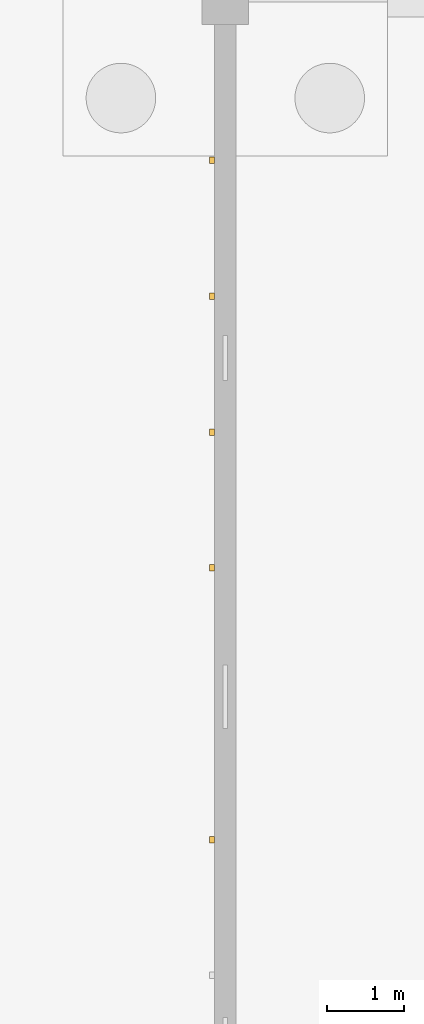
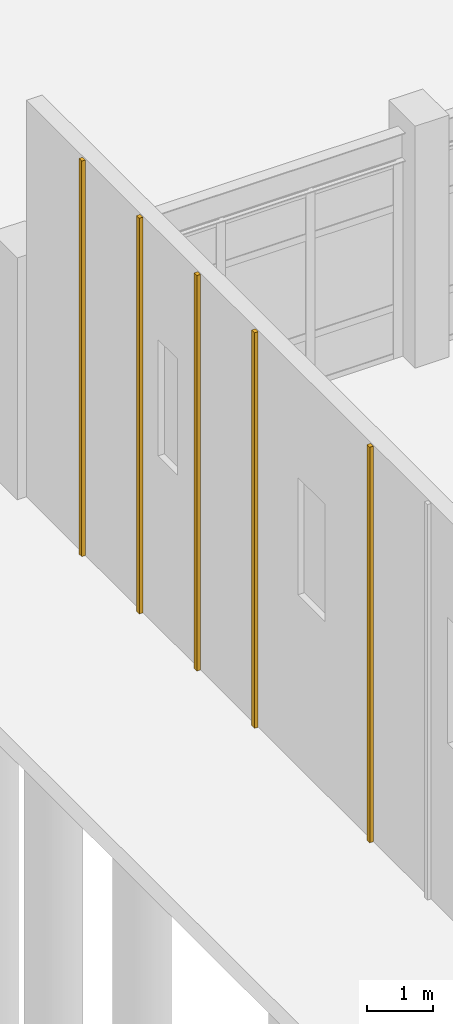
# One storey, part 138 of 154: 5 coverings.
"""IFC4 building model written with IfcOpenShell, lengths in metres."""

from ifc_helpers import new_model, si_unit, direction, frame, origin, origin_2d, place, context, subcontext, project, spatial, rectangle, extrude, material, layer, layer_set, type_object, element, save


model = new_model("IFC4")

# Units and contexts
model_context = context("Model", 3, precision=1e-05, world=origin(), true_north=direction((0.0, 1.0)))
body_context = subcontext(model_context, "Body", "Model", "MODEL_VIEW")
ifc_project = project(units=[si_unit("LENGTHUNIT", "METRE"), si_unit("AREAUNIT", "SQUARE_METRE"), si_unit("VOLUMEUNIT", "CUBIC_METRE"), si_unit("PLANEANGLEUNIT", "RADIAN"), si_unit("MASSUNIT", "GRAM", prefix="KILO")], contexts=[model_context])

# Site, building, storey
site_placement = place(None, origin())
site = spatial("IfcSite", under=ifc_project, at=site_placement, CompositionType="ELEMENT")
building_placement = place(site_placement, origin())
building = spatial("IfcBuilding", under=site, at=building_placement, Name="Kestramere Prow Commons", CompositionType="ELEMENT")
storey_placement = place(building_placement, origin())
storey = spatial("IfcBuildingStorey", under=building, at=storey_placement, Name="L00", CompositionType="ELEMENT", Elevation=0.0)

# Coverings
ifc_material = material(Name="Weathered Zinc-Titanium Standing-Seam Cladding")
ifc_layer = layer(ifc_material, 0.074951171875)
ifc_layer_set = layer_set([ifc_layer], Name="Weathered Zinc-Titanium Standing-Seam Cladding")
covering_type = type_object("IfcCoveringType", Name="COV-CLAD-SEAM", PredefinedType="CLADDING", material=ifc_layer_set)
for number, where, z_axis, x_axis, name in (
    (1, (2.027587890625, 32.5625, 0.0), (0.0, 0.0, 1.0), (0.0, 1.0, 0.0), "EW-HL-L00-W Standing-Seam Rib 10"),
    (2, (2.027587890625, 36.074951171875, 0.0), (0.0, 0.0, 1.0), (0.0, 1.0, 0.0), "EW-HL-L00-W Standing-Seam Rib 12"),
    (3, (2.027587890625, 37.831298828125, 0.0), (0.0, 0.0, 1.0), (0.0, 1.0, 0.0), "EW-HL-L00-W Standing-Seam Rib 13"),
    (4, (2.027587890625, 39.58740234375, 0.0), (0.0, 0.0, 1.0), (0.0, 1.0, 0.0), "EW-HL-L00-W Standing-Seam Rib 14"),
    (5, (2.027587890625, 41.34375, 0.0), (0.0, 0.0, 1.0), (0.0, 1.0, 0.0), "EW-HL-L00-W Standing-Seam Rib 15"),
):
    element("IfcCovering", number, at=place(storey_placement, frame(where, z_axis=z_axis, x_axis=x_axis)), inside=storey, type_object=covering_type, Name=name, PredefinedType="CLADDING", context=body_context, shape_type="SweptSolid", body=[
        extrude(rectangle(XDim=0.0849609375, YDim=0.06494140625, at=origin_2d()), origin(), (0.0, 0.0, 1.0), 7.360107421875),
    ])

save(model, "model.ifc")
